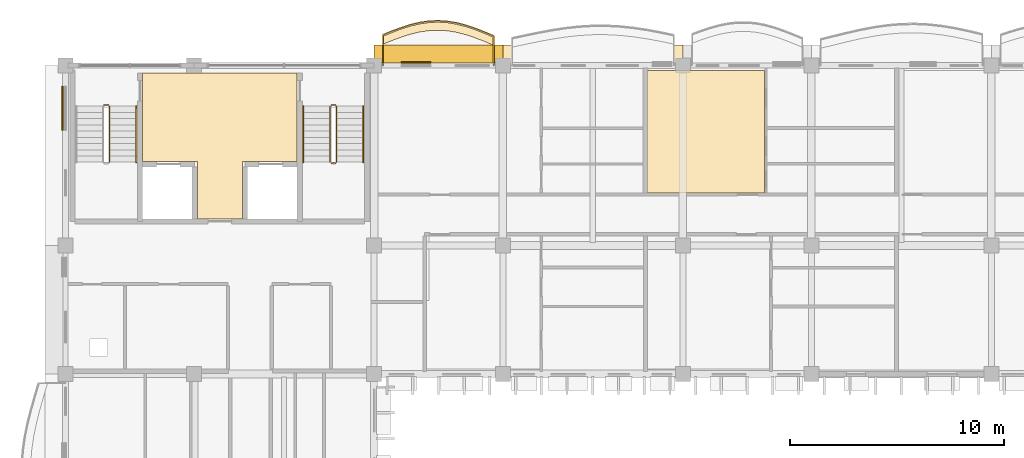
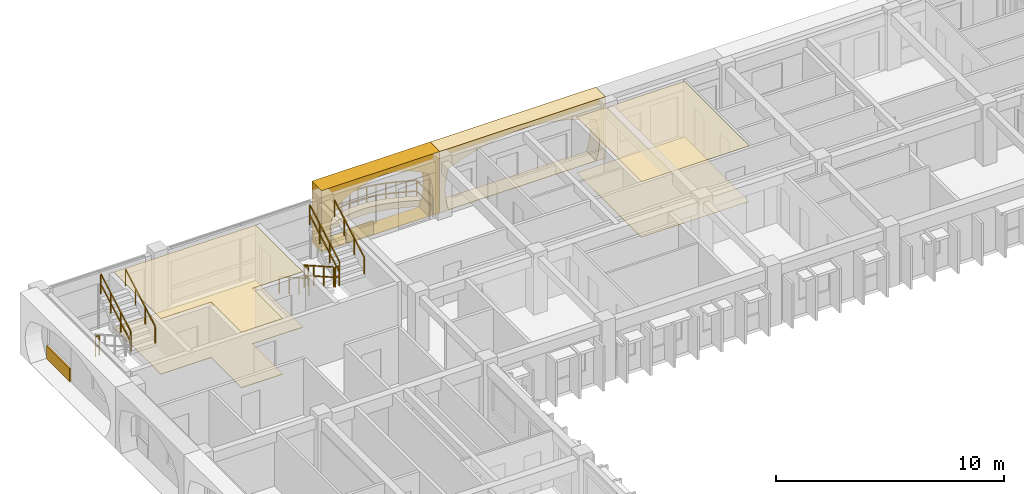
# One storey, part 81 of 101: 10 railings, 9 coverings.
"""IFC4 building model written with IfcOpenShell, lengths in metres."""

from ifc_helpers import new_model, si_unit, direction, frame, origin, origin_2d, place, context, subcontext, project, spatial, polyline, rectangle, outline, extrude, material, layer, layer_set, type_object, element, save


model = new_model("IFC4")

# Units and contexts
model_context = context("Model", 3, precision=1e-05, world=origin(), true_north=direction((0.0, 1.0)))
body_context = subcontext(model_context, "Body", "Model", "MODEL_VIEW")
ifc_project = project(units=[si_unit("LENGTHUNIT", "METRE"), si_unit("AREAUNIT", "SQUARE_METRE"), si_unit("VOLUMEUNIT", "CUBIC_METRE"), si_unit("PLANEANGLEUNIT", "RADIAN"), si_unit("MASSUNIT", "GRAM", prefix="KILO"), si_unit("THERMODYNAMICTEMPERATUREUNIT", "KELVIN")], contexts=[model_context])

# Site, building, storey
site_placement = place(None, origin())
site = spatial("IfcSite", under=ifc_project, at=site_placement, CompositionType="ELEMENT")
building_placement = place(site_placement, origin())
building = spatial("IfcBuilding", under=site, at=building_placement, Name="Thalorik Housing Commons", CompositionType="ELEMENT")
storey_placement = place(building_placement, frame((0.0, 0.0, 8.10009765625)))
storey = spatial("IfcBuildingStorey", under=building, at=storey_placement, Name="L02", CompositionType="ELEMENT", Elevation=8.10009765625)

# Coverings
ifc_material_1 = material(Name="Precast concrete C40/50", Category="concrete")
ifc_layer_1 = layer(ifc_material_1, 0.85009765625, Name="Precast concrete C40/50", Category="concrete")
ifc_layer_set_1 = layer_set([ifc_layer_1], Name="Precast concrete C40/50")
covering_type_1 = type_object("IfcCoveringType", Name="ARC-CLD-CUSH-850", PredefinedType="CLADDING", material=ifc_layer_set_1)
covering_1_placement = place(storey_placement, frame((33.0, 124.132568359375, 0.0), z_axis=(0.0, 0.0, 1.0), x_axis=(-1.0, 0.0, 0.0)))
element("IfcCovering", 1, at=covering_1_placement, inside=storey, type_object=covering_type_1, Name="L02 White Precast Curved Cushion Bay Frame 188", PredefinedType="CLADDING", context=body_context, shape_type="SweptSolid", body=[
    extrude(outline(polyline([(-4.199951171875, 0.0), (4.199951171875, 0.0), (4.199951171875, 3.300048828125), (-4.199951171875, 3.300048828125), (-4.199951171875, 0.0)]), holes=[polyline([(3.755615234375, 0.02490234375), (3.849365234375, 0.394287109375), (3.90576171875, 0.76318359375), (3.924560546875, 1.132568359375), (3.90576171875, 1.501708984375), (3.849365234375, 1.870849609375), (3.755615234375, 2.239990234375), (3.13134765625, 2.4833984375), (2.507080078125, 2.6748046875), (1.8828125, 2.82958984375), (1.2587890625, 2.94482421875), (0.634521484375, 3.01611328125), (0.01025390625, 3.0400390625), (-0.614013671875, 3.01611328125), (-1.238037109375, 2.94482421875), (-1.8623046875, 2.82958984375), (-2.486572265625, 2.6748046875), (-3.11083984375, 2.4833984375), (-3.735107421875, 2.239990234375), (-3.833251953125, 1.870849609375), (-3.89208984375, 1.501708984375), (-3.91162109375, 1.132568359375), (-3.89208984375, 0.76318359375), (-3.833251953125, 0.394287109375), (-3.735107421875, 0.02490234375), (3.755615234375, 0.02490234375)])]), frame((0.0, 0.425048828125, 0.0), z_axis=(0.0, -1.0, 0.0), x_axis=(1.0, 0.0, 0.0)), (0.0, 0.0, 1.0), 0.85009765625),
])
covering_2_placement = place(storey_placement, frame((25.800048828125, 124.132568359375, 0.0), z_axis=(0.0, 0.0, 1.0), x_axis=(-1.0, 0.0, 0.0)))
element("IfcCovering", 2, at=covering_2_placement, inside=storey, type_object=covering_type_1, Name="L02 White Precast Curved Cushion Bay Frame 190", PredefinedType="CLADDING", context=body_context, shape_type="SweptSolid", body=[
    extrude(outline(polyline([(-3.0, 0.0), (3.0, 0.0), (3.0, 3.300048828125), (-3.0, 3.300048828125), (-3.0, 0.0)]), holes=[polyline([(2.0400390625, 0.02490234375), (2.3232421875, 0.404296875), (2.493408203125, 0.783203125), (2.550048828125, 1.16259765625), (2.493408203125, 1.541748046875), (2.3232421875, 1.9208984375), (2.0400390625, 2.300048828125), (1.66748046875, 2.525390625), (1.294921875, 2.7021484375), (0.922607421875, 2.845458984375), (0.550048828125, 2.951904296875), (0.177490234375, 3.017822265625), (-0.195068359375, 3.0400390625), (-0.5673828125, 3.017822265625), (-0.93994140625, 2.951904296875), (-1.3125, 2.845458984375), (-1.68505859375, 2.7021484375), (-2.0576171875, 2.525390625), (-2.429931640625, 2.300048828125), (-2.55029296875, 1.9208984375), (-2.62255859375, 1.541748046875), (-2.646484375, 1.16259765625), (-2.62255859375, 0.783203125), (-2.55029296875, 0.404296875), (-2.429931640625, 0.02490234375), (2.0400390625, 0.02490234375)])]), frame((0.0, 0.425048828125, 0.0), z_axis=(0.0, -1.0, 0.0), x_axis=(1.0, 0.0, 0.0)), (0.0, 0.0, 1.0), 0.85009765625),
])
ifc_material_2 = material(Name="Mineral ochre architectural terracotta panel", Category="masonry")
ifc_layer_2 = layer(ifc_material_2, 0.06494140625, Name="Mineral ochre architectural terracotta panel", Category="masonry")
ifc_layer_set_2 = layer_set([ifc_layer_2], Name="Mineral ochre architectural terracotta panel")
covering_type_2 = type_object("IfcCoveringType", Name="ARC-CLD-YEL-65", PredefinedType="CLADDING", material=ifc_layer_set_2)
covering_3_placement = place(storey_placement, frame((24.760009765625, 123.7451171875, 0.0498046875), z_axis=(0.0, 0.0, 1.0), x_axis=(-1.0, 0.0, 0.0)))
element("IfcCovering", 3, at=covering_3_placement, inside=storey, type_object=covering_type_2, Name="L02 De Stijl Recessed Window Spandrel 191", PredefinedType="CLADDING", context=body_context, shape_type="SweptSolid", body=[
    extrude(rectangle(XDim=1.3798828125, YDim=0.06494140625, at=origin_2d()), origin(), (0.0, 0.0, 1.0), 0.699951171875),
])
covering_4_placement = place(storey_placement, frame((8.2548828125, 121.603759765625, 0.0498046875), z_axis=(0.0, 0.0, 1.0), x_axis=(0.0, -1.0, 0.0)))
element("IfcCovering", 4, at=covering_4_placement, inside=storey, type_object=covering_type_2, Name="L02 De Stijl Recessed Window Spandrel 193", PredefinedType="CLADDING", context=body_context, shape_type="SweptSolid", body=[
    extrude(rectangle(XDim=2.0400390625, YDim=0.06494140625, at=origin_2d()), origin(), (0.0, 0.0, 1.0), 0.699951171875),
])
ifc_material_3 = material(Name="Slatted timber acoustic hall baffle ceiling", Category="wood")
ifc_layer_3 = layer(ifc_material_3, 0.02197265625, Name="Slatted timber acoustic hall baffle ceiling", Category="wood")
ifc_layer_set_3 = layer_set([ifc_layer_3], Name="Slatted timber acoustic hall baffle ceiling")
covering_type_3 = type_object("IfcCoveringType", Name="ARC-COV-CEIL-03", PredefinedType="CEILING", material=ifc_layer_set_3)
covering_5_placement = place(storey_placement, frame((0.0, 0.0, 2.977783203125)))
element("IfcCovering", 5, at=covering_5_placement, inside=storey, type_object=covering_type_3, Name="L02 Living Dining Room Suspended Ceiling", PredefinedType="CEILING", context=body_context, shape_type="SweptSolid", body=[
    extrude(outline(polyline([(41.015625, 117.659912109375), (41.015625, 123.360107421875), (35.5400390625, 123.360107421875), (35.5400390625, 117.659912109375), (41.015625, 117.659912109375)])), origin(), (0.0, 0.0, 1.0), 0.022216796875),
])
ifc_material_4 = material(Name="Fire-rated calcium silicate corridor ceiling")
ifc_layer_4 = layer(ifc_material_4, 0.030029296875, Name="Fire-rated calcium silicate corridor ceiling")
ifc_layer_set_4 = layer_set([ifc_layer_4], Name="Fire-rated calcium silicate corridor ceiling")
covering_type_4 = type_object("IfcCoveringType", Name="ARC-COV-CEIL-05", PredefinedType="CEILING", material=ifc_layer_set_4)
covering_6_placement = place(storey_placement, frame((0.0, 0.0, 2.969970703125)))
element("IfcCovering", 6, at=covering_6_placement, inside=storey, type_object=covering_type_4, Name="L02 Block A Firefighting Lift Lobby Suspended Ceiling", PredefinedType="CEILING", context=body_context, shape_type="SweptSolid", body=[
    extrude(outline(polyline([(14.550048828125, 116.449951171875), (16.64990234375, 116.449951171875), (16.650146484375, 119.1201171875), (19.199951171875, 119.1201171875), (19.199951171875, 123.25), (12.0, 123.25), (12.0, 119.1201171875), (14.550048828125, 119.1201171875), (14.550048828125, 116.449951171875)])), origin(), (0.0, 0.0, 1.0), 0.030029296875),
])
ifc_material_5 = material(Name="Cushioned natural linoleum nursery playroom flooring")
ifc_layer_5 = layer(ifc_material_5, 0.02001953125, Name="Cushioned natural linoleum nursery playroom flooring")
ifc_layer_set_5 = layer_set([ifc_layer_5], Name="Cushioned natural linoleum nursery playroom flooring")
covering_type_5 = type_object("IfcCoveringType", Name="ARC-COV-FLR-03", PredefinedType="FLOORING", material=ifc_layer_set_5)
covering_7_placement = place(storey_placement, origin())
element("IfcCovering", 7, at=covering_7_placement, inside=storey, type_object=covering_type_5, Name="L02 Living Dining Room Flooring", PredefinedType="FLOORING", context=body_context, shape_type="SweptSolid", body=[
    extrude(outline(polyline([(41.015625, 117.659912109375), (41.015625, 123.360107421875), (35.5400390625, 123.360107421875), (35.5400390625, 117.659912109375), (41.015625, 117.659912109375)])), origin(), (0.0, 0.0, 1.0), 0.02001953125),
])
ifc_material_6 = material(Name="Heavy-duty porcelain metro vestibule tile")
ifc_layer_6 = layer(ifc_material_6, 0.028076171875, Name="Heavy-duty porcelain metro vestibule tile")
ifc_layer_set_6 = layer_set([ifc_layer_6], Name="Heavy-duty porcelain metro vestibule tile")
covering_type_6 = type_object("IfcCoveringType", Name="ARC-COV-FLR-05", PredefinedType="FLOORING", material=ifc_layer_set_6)
covering_8_placement = place(storey_placement, origin())
element("IfcCovering", 8, at=covering_8_placement, inside=storey, type_object=covering_type_6, Name="L02 Block A Firefighting Lift Lobby Flooring", PredefinedType="FLOORING", context=body_context, shape_type="SweptSolid", body=[
    extrude(outline(polyline([(14.550048828125, 116.449951171875), (16.64990234375, 116.449951171875), (16.650146484375, 119.1201171875), (19.199951171875, 119.1201171875), (19.199951171875, 123.25), (12.0, 123.25), (12.0, 119.1201171875), (14.550048828125, 119.1201171875), (14.550048828125, 116.449951171875)])), origin(), (0.0, 0.0, 1.0), 0.02783203125),
])
ifc_material_7 = material(Name="Planted vegetated substrate and terracotta trough", Category="masonry")
ifc_layer_7 = layer(ifc_material_7, 0.340087890625, Name="Planted vegetated substrate and terracotta trough", Category="masonry")
ifc_layer_set_7 = layer_set([ifc_layer_7], Name="Planted vegetated substrate and terracotta trough")
covering_type_7 = type_object("IfcCoveringType", Name="ARC-COV-PLANTER", PredefinedType="USERDEFINED", material=ifc_layer_set_7)
covering_9_placement = place(storey_placement, origin())
element("IfcCovering", 9, at=covering_9_placement, inside=storey, type_object=covering_type_7, Name="L02 Balcony Slab-Edge Planted Trough 5317", ObjectType="PLANTER", PredefinedType="USERDEFINED", context=body_context, shape_type="SweptSolid", body=[
    extrude(outline(polyline([(28.3798828125, 124.920654296875), (27.949951171875, 125.1005859375), (27.52001953125, 125.26806640625), (27.090087890625, 125.41259765625), (26.659912109375, 125.524658203125), (26.22998046875, 125.597412109375), (25.800048828125, 125.6259765625), (25.3701171875, 125.60888671875), (24.93994140625, 125.547119140625), (24.510009765625, 125.4453125), (24.080078125, 125.31005859375), (23.64990234375, 125.150146484375), (23.219970703125, 124.976318359375), (23.219970703125, 124.59619140625), (23.64990234375, 124.770263671875), (24.080078125, 124.93017578125), (24.510009765625, 125.0654296875), (24.93994140625, 125.167236328125), (25.3701171875, 125.228759765625), (25.800048828125, 125.245849609375), (26.22998046875, 125.21728515625), (26.659912109375, 125.144775390625), (27.090087890625, 125.032470703125), (27.52001953125, 124.88818359375), (27.949951171875, 124.720458984375), (28.3798828125, 124.540771484375), (28.3798828125, 124.920654296875)])), origin(), (0.0, 0.0, 1.0), 0.33984375),
])

# Railings
ifc_material_8 = material(Name="Steel S355", Category="steel")
railing_type_1 = type_object("IfcRailingType", Name="ARC-RL-BAL-115", PredefinedType="BALUSTRADE", material=ifc_material_8)
railing_1_placement = place(storey_placement, frame((28.3798828125, 123.60009765625, 0.0)))
element("IfcRailing", 10, at=railing_1_placement, inside=storey, type_object=railing_type_1, Name="L02 Cushion Balcony Guardrail 1", PredefinedType="BALUSTRADE", context=body_context, shape_type="SweptSolid", body=[
    extrude(rectangle(XDim=0.050048828125, YDim=0.050048828125, at=origin_2d()), frame((0.0, 0.0, 1.125), z_axis=(0.0, 1.0, 0.0), x_axis=(-1.0, 0.0, 0.0)), (0.0, 0.0, 1.0), 1.390625),
    extrude(rectangle(XDim=0.050048828125, YDim=0.050048828125, at=origin_2d()), frame((0.0, 0.0, 0.5498046875), z_axis=(0.0, 1.0, 0.0), x_axis=(-1.0, 0.0, 0.0)), (0.0, 0.0, 1.0), 1.390625),
    extrude(rectangle(XDim=0.050048828125, YDim=0.050048828125, at=origin_2d()), frame((0.0, 1.390625, 1.125), z_axis=(-0.922657844822, 0.385619633043, 0.0), x_axis=(-0.385619633043, -0.922657844822, 0.0)), (0.0, 0.0, 1.0), 0.466064453125),
    extrude(rectangle(XDim=0.050048828125, YDim=0.050048828125, at=origin_2d()), frame((0.0, 1.390625, 0.5498046875), z_axis=(-0.922657844822, 0.385619633043, 0.0), x_axis=(-0.385619633043, -0.922657844822, 0.0)), (0.0, 0.0, 1.0), 0.466064453125),
    extrude(rectangle(XDim=0.050048828125, YDim=0.050048828125, at=origin_2d()), frame((-0.429931640625, 1.5703125, 1.125), z_axis=(-0.931616942852, 0.363441703429, 0.0), x_axis=(-0.363441703429, -0.931616942852, 0.0)), (0.0, 0.0, 1.0), 0.46142578125),
    extrude(rectangle(XDim=0.050048828125, YDim=0.050048828125, at=origin_2d()), frame((-0.429931640625, 1.5703125, 0.5498046875), z_axis=(-0.931616942852, 0.363441703429, 0.0), x_axis=(-0.363441703429, -0.931616942852, 0.0)), (0.0, 0.0, 1.0), 0.46142578125),
    extrude(rectangle(XDim=0.050048828125, YDim=0.050048828125, at=origin_2d()), frame((-0.85986328125, 1.738037109375, 1.125), z_axis=(-0.948035297772, 0.318165168077, 0.0), x_axis=(-0.318165168077, -0.948035297772, 0.0)), (0.0, 0.0, 1.0), 0.45361328125),
    extrude(rectangle(XDim=0.050048828125, YDim=0.050048828125, at=origin_2d()), frame((-0.85986328125, 1.738037109375, 0.5498046875), z_axis=(-0.948035297772, 0.318165168077, 0.0), x_axis=(-0.318165168077, -0.948035297772, 0.0)), (0.0, 0.0, 1.0), 0.45361328125),
    extrude(rectangle(XDim=0.050048828125, YDim=0.050048828125, at=origin_2d()), frame((-1.289794921875, 1.88232421875, 1.125), z_axis=(-0.967570603948, 0.252600725208, 0.0), x_axis=(-0.252600725208, -0.967570603948, 0.0)), (0.0, 0.0, 1.0), 0.444580078125),
    extrude(rectangle(XDim=0.050048828125, YDim=0.050048828125, at=origin_2d()), frame((-1.289794921875, 1.88232421875, 0.5498046875), z_axis=(-0.967570603948, 0.252600725208, 0.0), x_axis=(-0.252600725208, -0.967570603948, 0.0)), (0.0, 0.0, 1.0), 0.444580078125),
    extrude(rectangle(XDim=0.050048828125, YDim=0.050048828125, at=origin_2d()), frame((-1.719970703125, 1.99462890625, 1.125), z_axis=(-0.986074270485, 0.16630554136, 0.0), x_axis=(-0.16630554136, -0.986074270485, 0.0)), (0.0, 0.0, 1.0), 0.43603515625),
    extrude(rectangle(XDim=0.050048828125, YDim=0.050048828125, at=origin_2d()), frame((-1.719970703125, 1.99462890625, 0.5498046875), z_axis=(-0.986074270485, 0.16630554136, 0.0), x_axis=(-0.16630554136, -0.986074270485, 0.0)), (0.0, 0.0, 1.0), 0.43603515625),
    extrude(rectangle(XDim=0.050048828125, YDim=0.050048828125, at=origin_2d()), frame((-2.14990234375, 2.067138671875, 1.125), z_axis=(-0.997800175086, 0.06629336768, 0.0), x_axis=(-0.06629336768, -0.997800175086, 0.0)), (0.0, 0.0, 1.0), 0.430908203125),
    extrude(rectangle(XDim=0.050048828125, YDim=0.050048828125, at=origin_2d()), frame((-2.14990234375, 2.067138671875, 0.5498046875), z_axis=(-0.997800175086, 0.06629336768, 0.0), x_axis=(-0.06629336768, -0.997800175086, 0.0)), (0.0, 0.0, 1.0), 0.430908203125),
    extrude(rectangle(XDim=0.050048828125, YDim=0.050048828125, at=origin_2d()), frame((-2.579833984375, 2.095703125, 1.125), z_axis=(-0.999210898113, -0.039718775053, 0.0), x_axis=(0.039718775053, -0.999210898113, 0.0)), (0.0, 0.0, 1.0), 0.43017578125),
    extrude(rectangle(XDim=0.050048828125, YDim=0.050048828125, at=origin_2d()), frame((-2.579833984375, 2.095703125, 0.5498046875), z_axis=(-0.999210898113, -0.039718775053, 0.0), x_axis=(0.039718775053, -0.999210898113, 0.0)), (0.0, 0.0, 1.0), 0.43017578125),
    extrude(rectangle(XDim=0.050048828125, YDim=0.050048828125, at=origin_2d()), frame((-3.009765625, 2.07861328125, 1.125), z_axis=(-0.989927008359, -0.141578664079, 0.0), x_axis=(0.141578664079, -0.989927008359, 0.0)), (0.0, 0.0, 1.0), 0.4345703125),
    extrude(rectangle(XDim=0.050048828125, YDim=0.050048828125, at=origin_2d()), frame((-3.009765625, 2.07861328125, 0.5498046875), z_axis=(-0.989927008359, -0.141578664079, 0.0), x_axis=(0.141578664079, -0.989927008359, 0.0)), (0.0, 0.0, 1.0), 0.4345703125),
    extrude(rectangle(XDim=0.050048828125, YDim=0.050048828125, at=origin_2d()), frame((-3.43994140625, 2.01708984375, 1.125), z_axis=(-0.973090069964, -0.230425076192, 0.0), x_axis=(0.230425076192, -0.973090069964, 0.0)), (0.0, 0.0, 1.0), 0.44189453125),
    extrude(rectangle(XDim=0.050048828125, YDim=0.050048828125, at=origin_2d()), frame((-3.43994140625, 2.01708984375, 0.5498046875), z_axis=(-0.973090069964, -0.230425076192, 0.0), x_axis=(0.230425076192, -0.973090069964, 0.0)), (0.0, 0.0, 1.0), 0.44189453125),
    extrude(rectangle(XDim=0.050048828125, YDim=0.050048828125, at=origin_2d()), frame((-3.869873046875, 1.915283203125, 1.125), z_axis=(-0.953909569084, -0.300094208559, 0.0), x_axis=(0.300094208559, -0.953909569084, 0.0)), (0.0, 0.0, 1.0), 0.45068359375),
    extrude(rectangle(XDim=0.050048828125, YDim=0.050048828125, at=origin_2d()), frame((-3.869873046875, 1.915283203125, 0.5498046875), z_axis=(-0.953909569084, -0.300094208559, 0.0), x_axis=(0.300094208559, -0.953909569084, 0.0)), (0.0, 0.0, 1.0), 0.45068359375),
    extrude(rectangle(XDim=0.050048828125, YDim=0.050048828125, at=origin_2d()), frame((-4.2998046875, 1.780029296875, 1.125), z_axis=(-0.937330979003, -0.348440290152, 0.0), x_axis=(0.348440290152, -0.937330979003, 0.0)), (0.0, 0.0, 1.0), 0.458984375),
    extrude(rectangle(XDim=0.050048828125, YDim=0.050048828125, at=origin_2d()), frame((-4.2998046875, 1.780029296875, 0.5498046875), z_axis=(-0.937330979003, -0.348440290152, 0.0), x_axis=(0.348440290152, -0.937330979003, 0.0)), (0.0, 0.0, 1.0), 0.458984375),
    extrude(rectangle(XDim=0.050048828125, YDim=0.050048828125, at=origin_2d()), frame((-4.72998046875, 1.6201171875, 1.125), z_axis=(-0.927090603985, -0.374837314047, 0.0), x_axis=(0.374837314047, -0.927090603985, 0.0)), (0.0, 0.0, 1.0), 0.463623046875),
    extrude(rectangle(XDim=0.050048828125, YDim=0.050048828125, at=origin_2d()), frame((-4.72998046875, 1.6201171875, 0.5498046875), z_axis=(-0.927090603985, -0.374837314047, 0.0), x_axis=(0.374837314047, -0.927090603985, 0.0)), (0.0, 0.0, 1.0), 0.463623046875),
    extrude(rectangle(XDim=0.050048828125, YDim=0.050048828125, at=origin_2d()), frame((-5.159912109375, 1.4462890625, 1.125), z_axis=(0.0, -1.0, 0.0), x_axis=(1.0, 0.0, 0.0)), (0.0, 0.0, 1.0), 1.4462890625),
    extrude(rectangle(XDim=0.050048828125, YDim=0.050048828125, at=origin_2d()), frame((-5.159912109375, 1.4462890625, 0.5498046875), z_axis=(0.0, -1.0, 0.0), x_axis=(1.0, 0.0, 0.0)), (0.0, 0.0, 1.0), 1.4462890625),
    extrude(rectangle(XDim=0.0419921875, YDim=0.0419921875, at=origin_2d()), origin(), (0.0, 0.0, 1.0), 1.099853515625),
    extrude(rectangle(XDim=0.0419921875, YDim=0.0419921875, at=origin_2d()), frame((0.0, 1.390625, 0.0)), (0.0, 0.0, 1.0), 1.099853515625),
    extrude(rectangle(XDim=0.0419921875, YDim=0.0419921875, at=origin_2d()), frame((-0.429931640625, 1.5703125, 0.0)), (0.0, 0.0, 1.0), 1.099853515625),
    extrude(rectangle(XDim=0.0419921875, YDim=0.0419921875, at=origin_2d()), frame((-0.85986328125, 1.738037109375, 0.0)), (0.0, 0.0, 1.0), 1.099853515625),
    extrude(rectangle(XDim=0.0419921875, YDim=0.0419921875, at=origin_2d()), frame((-1.289794921875, 1.88232421875, 0.0)), (0.0, 0.0, 1.0), 1.099853515625),
    extrude(rectangle(XDim=0.0419921875, YDim=0.0419921875, at=origin_2d()), frame((-1.719970703125, 1.99462890625, 0.0)), (0.0, 0.0, 1.0), 1.099853515625),
    extrude(rectangle(XDim=0.0419921875, YDim=0.0419921875, at=origin_2d()), frame((-2.14990234375, 2.067138671875, 0.0)), (0.0, 0.0, 1.0), 1.099853515625),
    extrude(rectangle(XDim=0.0419921875, YDim=0.0419921875, at=origin_2d()), frame((-2.579833984375, 2.095703125, 0.0)), (0.0, 0.0, 1.0), 1.099853515625),
    extrude(rectangle(XDim=0.0419921875, YDim=0.0419921875, at=origin_2d()), frame((-3.009765625, 2.07861328125, 0.0)), (0.0, 0.0, 1.0), 1.099853515625),
    extrude(rectangle(XDim=0.0419921875, YDim=0.0419921875, at=origin_2d()), frame((-3.43994140625, 2.01708984375, 0.0)), (0.0, 0.0, 1.0), 1.099853515625),
    extrude(rectangle(XDim=0.0419921875, YDim=0.0419921875, at=origin_2d()), frame((-3.869873046875, 1.915283203125, 0.0)), (0.0, 0.0, 1.0), 1.099853515625),
    extrude(rectangle(XDim=0.0419921875, YDim=0.0419921875, at=origin_2d()), frame((-4.2998046875, 1.780029296875, 0.0)), (0.0, 0.0, 1.0), 1.099853515625),
    extrude(rectangle(XDim=0.0419921875, YDim=0.0419921875, at=origin_2d()), frame((-4.72998046875, 1.6201171875, 0.0)), (0.0, 0.0, 1.0), 1.099853515625),
    extrude(rectangle(XDim=0.0419921875, YDim=0.0419921875, at=origin_2d()), frame((-5.159912109375, 1.4462890625, 0.0)), (0.0, 0.0, 1.0), 1.099853515625),
    extrude(rectangle(XDim=0.0419921875, YDim=0.0419921875, at=origin_2d()), frame((-5.159912109375, 0.0, 0.0)), (0.0, 0.0, 1.0), 1.099853515625),
])
railing_type_2 = type_object("IfcRailingType", Name="ARC-RL-STR-GRD110", PredefinedType="GUARDRAIL", material=ifc_material_8)
railing_2_placement = place(storey_placement, frame((10.449951171875, 119.090087890625, 1.81494140625)))
element("IfcRailing", 11, at=railing_2_placement, inside=storey, type_object=railing_type_2, Name="L02 ST-A1 stair guard 3", PredefinedType="GUARDRAIL", context=body_context, shape_type="SweptSolid", body=[
    extrude(rectangle(XDim=0.048095703125, YDim=0.048095703125, at=origin_2d()), frame((0.0, 0.0, 1.076171875), z_axis=(0.0, 0.869172267526, 0.494509422927), x_axis=(-1.0, 0.0, 0.0)), (0.0, 0.0, 1.0), 3.002685546875),
    extrude(rectangle(XDim=0.048095703125, YDim=0.048095703125, at=origin_2d()), frame((0.0, 0.0, 0.52587890625), z_axis=(0.0, 0.869172267526, 0.494509422927), x_axis=(-1.0, 0.0, 0.0)), (0.0, 0.0, 1.0), 3.002685546875),
    extrude(rectangle(XDim=0.0419921875, YDim=0.0419921875, at=origin_2d()), origin(), (0.0, 0.0, 1.0), 1.052001953125),
    extrude(rectangle(XDim=0.0419921875, YDim=0.0419921875, at=origin_2d()), frame((0.0, 0.869873046875, 0.494873046875)), (0.0, 0.0, 1.0), 1.052001953125),
    extrude(rectangle(XDim=0.0419921875, YDim=0.0419921875, at=origin_2d()), frame((0.0, 1.739990234375, 0.989990234375)), (0.0, 0.0, 1.0), 1.052001953125),
    extrude(rectangle(XDim=0.0419921875, YDim=0.0419921875, at=origin_2d()), frame((0.0, 2.60986328125, 1.48486328125)), (0.0, 0.0, 1.0), 1.052001953125),
])
railing_3_placement = place(storey_placement, frame((10.199951171875, 121.75, 0.0)))
element("IfcRailing", 12, at=railing_3_placement, inside=storey, type_object=railing_type_2, Name="L02 ST-A1 stair guard 4", PredefinedType="GUARDRAIL", context=body_context, shape_type="SweptSolid", body=[
    extrude(rectangle(XDim=0.048095703125, YDim=0.048095703125, at=origin_2d()), frame((0.0, 0.0, 1.076171875), z_axis=(1.0, 0.0, 0.0), x_axis=(0.0, 1.0, 0.0)), (0.0, 0.0, 1.0), 0.199951171875),
    extrude(rectangle(XDim=0.048095703125, YDim=0.048095703125, at=origin_2d()), frame((0.0, 0.0, 0.52587890625), z_axis=(1.0, 0.0, 0.0), x_axis=(0.0, 1.0, 0.0)), (0.0, 0.0, 1.0), 0.199951171875),
    extrude(rectangle(XDim=0.0419921875, YDim=0.0419921875, at=origin_2d()), origin(), (0.0, 0.0, 1.0), 1.052001953125),
    extrude(rectangle(XDim=0.0419921875, YDim=0.0419921875, at=origin_2d()), frame((0.199951171875, 0.0, 0.0)), (0.0, 0.0, 1.0), 1.052001953125),
])
railing_4_placement = place(storey_placement, frame((20.75, 121.699951171875, 0.164794921875)))
element("IfcRailing", 13, at=railing_4_placement, inside=storey, type_object=railing_type_2, Name="L02 ST-A2 stair guard 1", PredefinedType="GUARDRAIL", context=body_context, shape_type="SweptSolid", body=[
    extrude(rectangle(XDim=0.048095703125, YDim=0.048095703125, at=origin_2d()), frame((0.0, 0.0, 1.076171875), z_axis=(0.0, -0.869137319866, 0.494570843475), x_axis=(1.0, 0.0, 0.0)), (0.0, 0.0, 1.0), 3.0029296875),
    extrude(rectangle(XDim=0.048095703125, YDim=0.048095703125, at=origin_2d()), frame((0.0, 0.0, 0.52587890625), z_axis=(0.0, -0.869137319866, 0.494570843475), x_axis=(1.0, 0.0, 0.0)), (0.0, 0.0, 1.0), 3.0029296875),
    extrude(rectangle(XDim=0.0419921875, YDim=0.0419921875, at=origin_2d()), origin(), (0.0, 0.0, 1.0), 1.052001953125),
    extrude(rectangle(XDim=0.0419921875, YDim=0.0419921875, at=origin_2d()), frame((0.0, -0.869873046875, 0.4951171875)), (0.0, 0.0, 1.0), 1.052001953125),
    extrude(rectangle(XDim=0.0419921875, YDim=0.0419921875, at=origin_2d()), frame((0.0, -1.739990234375, 0.989990234375)), (0.0, 0.0, 1.0), 1.052001953125),
    extrude(rectangle(XDim=0.0419921875, YDim=0.0419921875, at=origin_2d()), frame((0.0, -2.60986328125, 1.485107421875)), (0.0, 0.0, 1.0), 1.052001953125),
])
railing_5_placement = place(storey_placement, frame((20.800048828125, 119.0400390625, 1.64990234375)))
element("IfcRailing", 14, at=railing_5_placement, inside=storey, type_object=railing_type_2, Name="L02 ST-A2 stair guard 2", PredefinedType="GUARDRAIL", context=body_context, shape_type="SweptSolid", body=[
    extrude(rectangle(XDim=0.048095703125, YDim=0.048095703125, at=origin_2d()), frame((0.0, 0.0, 1.076171875), z_axis=(1.0, 0.0, 0.0), x_axis=(0.0, 1.0, 0.0)), (0.0, 0.0, 1.0), 0.199951171875),
    extrude(rectangle(XDim=0.048095703125, YDim=0.048095703125, at=origin_2d()), frame((0.0, 0.0, 0.52587890625), z_axis=(1.0, 0.0, 0.0), x_axis=(0.0, 1.0, 0.0)), (0.0, 0.0, 1.0), 0.199951171875),
    extrude(rectangle(XDim=0.0419921875, YDim=0.0419921875, at=origin_2d()), origin(), (0.0, 0.0, 1.0), 1.052001953125),
    extrude(rectangle(XDim=0.0419921875, YDim=0.0419921875, at=origin_2d()), frame((0.199951171875, 0.0, 0.0)), (0.0, 0.0, 1.0), 1.052001953125),
])
railing_6_placement = place(storey_placement, frame((21.050048828125, 119.090087890625, 1.81494140625)))
element("IfcRailing", 15, at=railing_6_placement, inside=storey, type_object=railing_type_2, Name="L02 ST-A2 stair guard 3", PredefinedType="GUARDRAIL", context=body_context, shape_type="SweptSolid", body=[
    extrude(rectangle(XDim=0.048095703125, YDim=0.048095703125, at=origin_2d()), frame((0.0, 0.0, 1.076171875), z_axis=(0.0, 0.869172267526, 0.494509422927), x_axis=(-1.0, 0.0, 0.0)), (0.0, 0.0, 1.0), 3.002685546875),
    extrude(rectangle(XDim=0.048095703125, YDim=0.048095703125, at=origin_2d()), frame((0.0, 0.0, 0.52587890625), z_axis=(0.0, 0.869172267526, 0.494509422927), x_axis=(-1.0, 0.0, 0.0)), (0.0, 0.0, 1.0), 3.002685546875),
    extrude(rectangle(XDim=0.0419921875, YDim=0.0419921875, at=origin_2d()), origin(), (0.0, 0.0, 1.0), 1.052001953125),
    extrude(rectangle(XDim=0.0419921875, YDim=0.0419921875, at=origin_2d()), frame((0.0, 0.869873046875, 0.494873046875)), (0.0, 0.0, 1.0), 1.052001953125),
    extrude(rectangle(XDim=0.0419921875, YDim=0.0419921875, at=origin_2d()), frame((0.0, 1.739990234375, 0.989990234375)), (0.0, 0.0, 1.0), 1.052001953125),
    extrude(rectangle(XDim=0.0419921875, YDim=0.0419921875, at=origin_2d()), frame((0.0, 2.60986328125, 1.48486328125)), (0.0, 0.0, 1.0), 1.052001953125),
])
railing_7_placement = place(storey_placement, frame((20.800048828125, 121.75, 0.0)))
element("IfcRailing", 16, at=railing_7_placement, inside=storey, type_object=railing_type_2, Name="L02 ST-A2 stair guard 4", PredefinedType="GUARDRAIL", context=body_context, shape_type="SweptSolid", body=[
    extrude(rectangle(XDim=0.048095703125, YDim=0.048095703125, at=origin_2d()), frame((0.0, 0.0, 1.076171875), z_axis=(1.0, 0.0, 0.0), x_axis=(0.0, 1.0, 0.0)), (0.0, 0.0, 1.0), 0.199951171875),
    extrude(rectangle(XDim=0.048095703125, YDim=0.048095703125, at=origin_2d()), frame((0.0, 0.0, 0.52587890625), z_axis=(1.0, 0.0, 0.0), x_axis=(0.0, 1.0, 0.0)), (0.0, 0.0, 1.0), 0.199951171875),
    extrude(rectangle(XDim=0.0419921875, YDim=0.0419921875, at=origin_2d()), origin(), (0.0, 0.0, 1.0), 1.052001953125),
    extrude(rectangle(XDim=0.0419921875, YDim=0.0419921875, at=origin_2d()), frame((0.199951171875, 0.0, 0.0)), (0.0, 0.0, 1.0), 1.052001953125),
])
railing_type_3 = type_object("IfcRailingType", Name="ARC-RL-STR-HR092", PredefinedType="HANDRAIL", material=ifc_material_8)
railing_8_placement = place(storey_placement, frame((11.699951171875, 119.090087890625, 1.81494140625)))
element("IfcRailing", 17, at=railing_8_placement, inside=storey, type_object=railing_type_3, Name="L02 ST-A1 stair handrail 2", PredefinedType="HANDRAIL", context=body_context, shape_type="SweptSolid", body=[
    extrude(rectangle(XDim=0.048095703125, YDim=0.048095703125, at=origin_2d()), frame((0.0, 0.0, 0.89599609375), z_axis=(0.0, 0.869172267526, 0.494509422927), x_axis=(-1.0, 0.0, 0.0)), (0.0, 0.0, 1.0), 3.002685546875),
    extrude(rectangle(XDim=0.0419921875, YDim=0.0419921875, at=origin_2d()), origin(), (0.0, 0.0, 1.0), 0.871826171875),
    extrude(rectangle(XDim=0.0419921875, YDim=0.0419921875, at=origin_2d()), frame((0.0, 0.869873046875, 0.494873046875)), (0.0, 0.0, 1.0), 0.871826171875),
    extrude(rectangle(XDim=0.0419921875, YDim=0.0419921875, at=origin_2d()), frame((0.0, 1.739990234375, 0.989990234375)), (0.0, 0.0, 1.0), 0.871826171875),
    extrude(rectangle(XDim=0.0419921875, YDim=0.0419921875, at=origin_2d()), frame((0.0, 2.60986328125, 1.48486328125)), (0.0, 0.0, 1.0), 0.871826171875),
])
railing_9_placement = place(storey_placement, frame((19.5, 121.699951171875, 0.164794921875)))
element("IfcRailing", 18, at=railing_9_placement, inside=storey, type_object=railing_type_3, Name="L02 ST-A2 stair handrail 1", PredefinedType="HANDRAIL", context=body_context, shape_type="SweptSolid", body=[
    extrude(rectangle(XDim=0.048095703125, YDim=0.048095703125, at=origin_2d()), frame((0.0, 0.0, 0.89599609375), z_axis=(0.0, -0.869137319866, 0.494570843475), x_axis=(1.0, 0.0, 0.0)), (0.0, 0.0, 1.0), 3.0029296875),
    extrude(rectangle(XDim=0.0419921875, YDim=0.0419921875, at=origin_2d()), origin(), (0.0, 0.0, 1.0), 0.871826171875),
    extrude(rectangle(XDim=0.0419921875, YDim=0.0419921875, at=origin_2d()), frame((0.0, -0.869873046875, 0.4951171875)), (0.0, 0.0, 1.0), 0.871826171875),
    extrude(rectangle(XDim=0.0419921875, YDim=0.0419921875, at=origin_2d()), frame((0.0, -1.739990234375, 0.989990234375)), (0.0, 0.0, 1.0), 0.871826171875),
    extrude(rectangle(XDim=0.0419921875, YDim=0.0419921875, at=origin_2d()), frame((0.0, -2.60986328125, 1.485107421875)), (0.0, 0.0, 1.0), 0.871826171875),
])
railing_10_placement = place(storey_placement, frame((22.300048828125, 119.090087890625, 1.81494140625)))
element("IfcRailing", 19, at=railing_10_placement, inside=storey, type_object=railing_type_3, Name="L02 ST-A2 stair handrail 2", PredefinedType="HANDRAIL", context=body_context, shape_type="SweptSolid", body=[
    extrude(rectangle(XDim=0.048095703125, YDim=0.048095703125, at=origin_2d()), frame((0.0, 0.0, 0.89599609375), z_axis=(0.0, 0.869172267526, 0.494509422927), x_axis=(-1.0, 0.0, 0.0)), (0.0, 0.0, 1.0), 3.002685546875),
    extrude(rectangle(XDim=0.0419921875, YDim=0.0419921875, at=origin_2d()), origin(), (0.0, 0.0, 1.0), 0.871826171875),
    extrude(rectangle(XDim=0.0419921875, YDim=0.0419921875, at=origin_2d()), frame((0.0, 0.869873046875, 0.494873046875)), (0.0, 0.0, 1.0), 0.871826171875),
    extrude(rectangle(XDim=0.0419921875, YDim=0.0419921875, at=origin_2d()), frame((0.0, 1.739990234375, 0.989990234375)), (0.0, 0.0, 1.0), 0.871826171875),
    extrude(rectangle(XDim=0.0419921875, YDim=0.0419921875, at=origin_2d()), frame((0.0, 2.60986328125, 1.48486328125)), (0.0, 0.0, 1.0), 0.871826171875),
])

save(model, "model.ifc")
